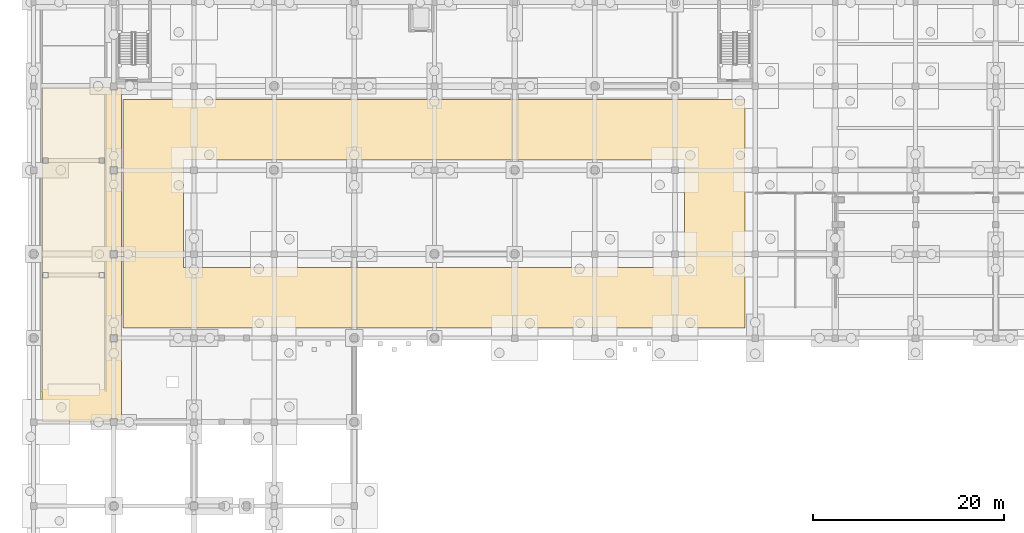
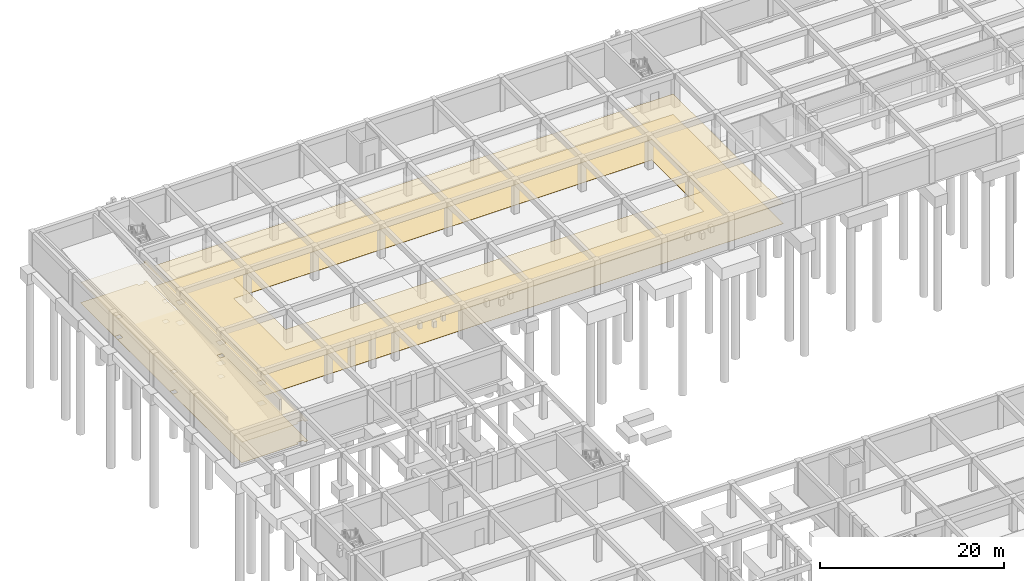
# One storey, part 34 of 41: 4 coverings.
"""IFC4 building model written with IfcOpenShell, lengths in metres."""

from ifc_helpers import new_model, si_unit, direction, frame, origin, place, context, subcontext, project, spatial, polyline, outline, extrude, material, layer, layer_set, type_object, element, save


model = new_model("IFC4")

# Units and contexts
model_context = context("Model", 3, precision=1e-05, world=origin(), true_north=direction((0.0, 1.0)))
body_context = subcontext(model_context, "Body", "Model", "MODEL_VIEW")
ifc_project = project(units=[si_unit("LENGTHUNIT", "METRE"), si_unit("AREAUNIT", "SQUARE_METRE"), si_unit("VOLUMEUNIT", "CUBIC_METRE"), si_unit("PLANEANGLEUNIT", "RADIAN"), si_unit("MASSUNIT", "GRAM", prefix="KILO")], contexts=[model_context])

# Site, building, storey
site_placement = place(None, origin())
site = spatial("IfcSite", under=ifc_project, at=site_placement, CompositionType="ELEMENT")
building_placement = place(site_placement, origin())
building = spatial("IfcBuilding", under=site, at=building_placement, Name="Kemercrest Conservatory and Botanical Centre", CompositionType="ELEMENT")
storey_placement = place(building_placement, frame((0.0, 0.0, -4.5)))
storey = spatial("IfcBuildingStorey", under=building, at=storey_placement, Name="B1", CompositionType="ELEMENT", Elevation=-4.5)

# Coverings
ifc_material_1 = material(Name="Perforated acoustic gypsum and mineral-fibre suspended ceiling", Category="gypsum")
ifc_layer_1 = layer(ifc_material_1, 0.034912109375)
ifc_layer_set_1 = layer_set([ifc_layer_1], Name="Perforated acoustic gypsum and mineral-fibre suspended ceiling")
covering_type_1 = type_object("IfcCoveringType", Name="CV-CLG035", PredefinedType="CEILING", material=ifc_layer_set_1)
covering_1_placement = place(storey_placement, frame((0.0, 0.0, 2.699951171875)))
element("IfcCovering", 1, at=covering_1_placement, inside=storey, type_object=covering_type_1, Name="Vehicle Ramp Apron and Throat suspended acoustic ceiling", PredefinedType="CEILING", context=body_context, shape_type="SweptSolid", body=[
    extrude(outline(polyline([(16.010009765625, 78.7900390625), (16.7900390625, 78.7900390625), (16.7900390625, 78.47998046875), (17.219970703125, 78.47998046875), (17.219970703125, 113.52001953125), (16.7900390625, 113.52001953125), (16.7900390625, 113.2099609375), (16.010009765625, 113.2099609375), (16.010009765625, 113.52001953125), (8.8798828125, 113.52001953125), (8.8798828125, 78.47998046875), (16.010009765625, 78.47998046875), (16.010009765625, 78.7900390625)]), holes=[polyline([(16.010009765625, 86.81005859375), (16.010009765625, 87.590087890625), (16.7900390625, 87.590087890625), (16.7900390625, 86.81005859375), (16.010009765625, 86.81005859375)]), polyline([(16.010009765625, 95.610107421875), (16.010009765625, 96.389892578125), (16.7900390625, 96.389892578125), (16.7900390625, 95.610107421875), (16.010009765625, 95.610107421875)]), polyline([(16.010009765625, 104.409912109375), (16.010009765625, 105.18994140625), (16.7900390625, 105.18994140625), (16.7900390625, 104.409912109375), (16.010009765625, 104.409912109375)]), polyline([(14.860107421875, 94.090087890625), (15.43994140625, 94.090087890625), (15.43994140625, 93.510009765625), (14.860107421875, 93.510009765625), (14.860107421875, 94.090087890625)]), polyline([(14.860107421875, 106.090087890625), (15.43994140625, 106.090087890625), (15.43994140625, 105.510009765625), (14.860107421875, 105.510009765625), (14.860107421875, 106.090087890625)]), polyline([(8.9599609375, 94.090087890625), (9.5400390625, 94.090087890625), (9.5400390625, 93.510009765625), (8.9599609375, 93.510009765625), (8.9599609375, 94.090087890625)]), polyline([(8.9599609375, 105.510009765625), (8.9599609375, 106.090087890625), (9.5400390625, 106.090087890625), (9.5400390625, 105.510009765625), (8.9599609375, 105.510009765625)])]), origin(), (0.0, 0.0, 1.0), 0.03515625),
])
covering_2_placement = place(storey_placement, frame((0.0, 0.0, 2.699951171875)))
element("IfcCovering", 2, at=covering_2_placement, inside=storey, type_object=covering_type_1, Name="Two-Way Car Park Drive Aisle Loop suspended acoustic ceiling", PredefinedType="CEILING", context=body_context, shape_type="SweptSolid", body=[
    extrude(outline(polyline([(82.52001953125, 88.280029296875), (82.52001953125, 112.219970703125), (17.3798828125, 112.219970703125), (17.3798828125, 88.280029296875), (82.52001953125, 88.280029296875)]), holes=[polyline([(23.719970703125, 105.8798828125), (76.179931640625, 105.8798828125), (76.179931640625, 94.6201171875), (23.719970703125, 94.6201171875), (23.719970703125, 105.8798828125)])]), origin(), (0.0, 0.0, 1.0), 0.03515625),
])
ifc_material_2 = material(Name="Polished limestone terrazzo and seamless laboratory epoxy flooring", Category="masonry")
ifc_layer_2 = layer(ifc_material_2, 0.02001953125)
ifc_layer_set_2 = layer_set([ifc_layer_2], Name="Polished limestone terrazzo and seamless laboratory epoxy flooring")
covering_type_2 = type_object("IfcCoveringType", Name="CV-FLR020", PredefinedType="FLOORING", material=ifc_layer_set_2)
covering_3_placement = place(storey_placement, origin())
element("IfcCovering", 3, at=covering_3_placement, inside=storey, type_object=covering_type_2, Name="Vehicle Ramp Apron and Throat floor finish", PredefinedType="FLOORING", context=body_context, shape_type="SweptSolid", body=[
    extrude(outline(polyline([(16.010009765625, 78.7900390625), (16.7900390625, 78.7900390625), (16.7900390625, 78.47998046875), (17.219970703125, 78.47998046875), (17.219970703125, 113.52001953125), (16.7900390625, 113.52001953125), (16.7900390625, 113.2099609375), (16.010009765625, 113.2099609375), (16.010009765625, 113.52001953125), (8.8798828125, 113.52001953125), (8.8798828125, 78.47998046875), (16.010009765625, 78.47998046875), (16.010009765625, 78.7900390625)]), holes=[polyline([(16.010009765625, 86.81005859375), (16.010009765625, 87.590087890625), (16.7900390625, 87.590087890625), (16.7900390625, 86.81005859375), (16.010009765625, 86.81005859375)]), polyline([(16.010009765625, 95.610107421875), (16.010009765625, 96.389892578125), (16.7900390625, 96.389892578125), (16.7900390625, 95.610107421875), (16.010009765625, 95.610107421875)]), polyline([(16.010009765625, 104.409912109375), (16.010009765625, 105.18994140625), (16.7900390625, 105.18994140625), (16.7900390625, 104.409912109375), (16.010009765625, 104.409912109375)]), polyline([(14.860107421875, 94.090087890625), (15.43994140625, 94.090087890625), (15.43994140625, 93.510009765625), (14.860107421875, 93.510009765625), (14.860107421875, 94.090087890625)]), polyline([(14.860107421875, 106.090087890625), (15.43994140625, 106.090087890625), (15.43994140625, 105.510009765625), (14.860107421875, 105.510009765625), (14.860107421875, 106.090087890625)]), polyline([(8.9599609375, 94.090087890625), (9.5400390625, 94.090087890625), (9.5400390625, 93.510009765625), (8.9599609375, 93.510009765625), (8.9599609375, 94.090087890625)]), polyline([(8.9599609375, 105.510009765625), (8.9599609375, 106.090087890625), (9.5400390625, 106.090087890625), (9.5400390625, 105.510009765625), (8.9599609375, 105.510009765625)])]), origin(), (0.0, 0.0, 1.0), 0.02001953125),
])
covering_4_placement = place(storey_placement, origin())
element("IfcCovering", 4, at=covering_4_placement, inside=storey, type_object=covering_type_2, Name="Two-Way Car Park Drive Aisle Loop floor finish", PredefinedType="FLOORING", context=body_context, shape_type="SweptSolid", body=[
    extrude(outline(polyline([(82.52001953125, 88.280029296875), (82.52001953125, 112.219970703125), (17.3798828125, 112.219970703125), (17.3798828125, 88.280029296875), (82.52001953125, 88.280029296875)]), holes=[polyline([(23.719970703125, 105.8798828125), (76.179931640625, 105.8798828125), (76.179931640625, 94.6201171875), (23.719970703125, 94.6201171875), (23.719970703125, 105.8798828125)])]), origin(), (0.0, 0.0, 1.0), 0.02001953125),
])

save(model, "model.ifc")
